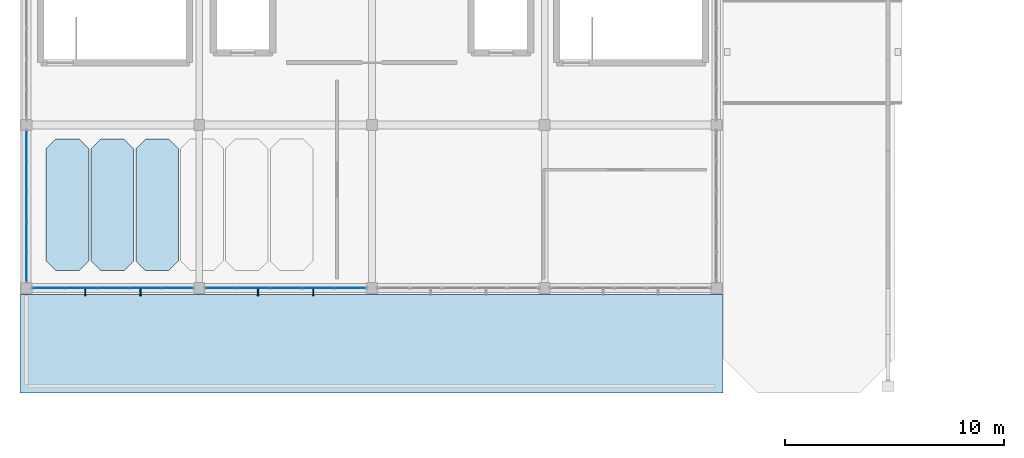
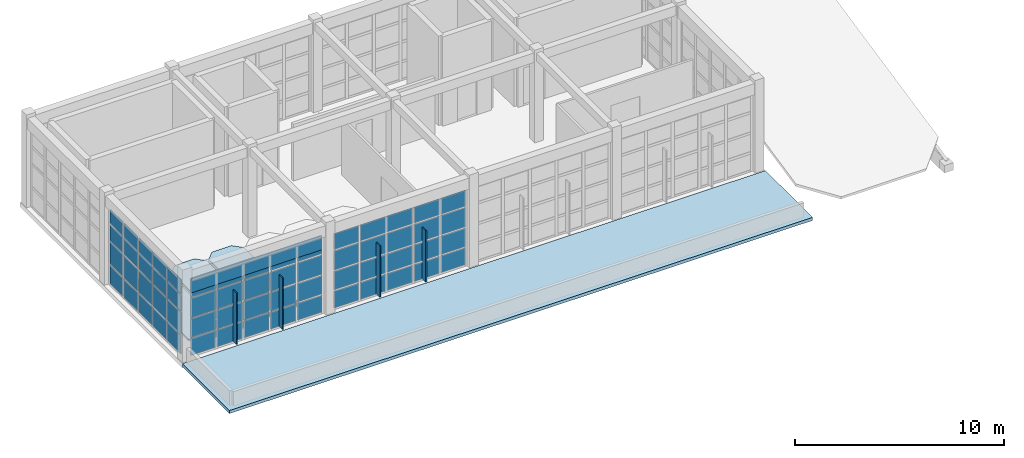
# One storey, part 62 of 103: 65 plates, 4 slabs, 3 elements without a shape of their own.
"""IFC4 building model written with IfcOpenShell, lengths in metres."""

from ifc_helpers import new_model, si_unit, direction, frame, origin, origin_2d, place, context, subcontext, project, spatial, polyline, rectangle, outline, extrude, material, layer, layer_set, type_object, element, aggregate, save


model = new_model("IFC4")

# Units and contexts
model_context = context("Model", 3, precision=1e-05, world=origin(), true_north=direction((0.0, 1.0)))
body_context = subcontext(model_context, "Body", "Model", "MODEL_VIEW")
ifc_project = project(units=[si_unit("LENGTHUNIT", "METRE"), si_unit("AREAUNIT", "SQUARE_METRE"), si_unit("VOLUMEUNIT", "CUBIC_METRE"), si_unit("PLANEANGLEUNIT", "RADIAN"), si_unit("MASSUNIT", "GRAM", prefix="KILO")], contexts=[model_context])

# Site, building, storey
site_placement = place(None, origin())
site = spatial("IfcSite", under=ifc_project, at=site_placement, CompositionType="ELEMENT")
building_placement = place(site_placement, origin())
building = spatial("IfcBuilding", under=site, at=building_placement, Name="Candilejo Ridge Gondola Terminal", CompositionType="ELEMENT")
storey_placement = place(building_placement, frame((0.0, 0.0, 9.0)))
storey = spatial("IfcBuildingStorey", under=building, at=storey_placement, Name="L02", CompositionType="ELEMENT", Elevation=9.0)

# Slabs
ifc_material_1 = material(Name="Concrete f'c 35 MPa (C35/45)", Category="concrete")
ifc_layer_1 = layer(ifc_material_1, 0.169921875)
ifc_layer_set_1 = layer_set([ifc_layer_1], Name="ARC-AUD-TIER-SLAB")
slab_type_1 = type_object("IfcSlabType", Name="ARC-AUD-TIER-SLAB", PredefinedType="USERDEFINED", material=ifc_layer_set_1)
slab_1_placement = place(storey_placement, origin())
element("IfcSlab", 1, at=slab_1_placement, inside=storey, type_object=slab_type_1, Name="Auditorium seating tier 01", ObjectType="AUDITORIUM TIER", PredefinedType="USERDEFINED", context=body_context, shape_type="SweptSolid", body=[
    extrude(outline(polyline([(5.6328125, 11.60009765625), (6.71728515625, 11.60009765625), (7.14990234375, 12.03271484375), (7.14990234375, 17.167236328125), (6.71728515625, 17.60009765625), (5.6328125, 17.60009765625), (5.199951171875, 17.167236328125), (5.199951171875, 12.03271484375), (5.6328125, 11.60009765625)])), origin(), (0.0, 0.0, 1.0), 0.090087890625),
])
slab_2_placement = place(storey_placement, origin())
element("IfcSlab", 2, at=slab_2_placement, inside=storey, type_object=slab_type_1, Name="Auditorium seating tier 02", ObjectType="AUDITORIUM TIER", PredefinedType="USERDEFINED", context=body_context, shape_type="SweptSolid", body=[
    extrude(outline(polyline([(7.6826171875, 11.60009765625), (8.767333984375, 11.60009765625), (9.199951171875, 12.03271484375), (9.199951171875, 17.167236328125), (8.767333984375, 17.60009765625), (7.6826171875, 17.60009765625), (7.25, 17.167236328125), (7.25, 12.03271484375), (7.6826171875, 11.60009765625)])), origin(), (0.0, 0.0, 1.0), 0.139892578125),
])
slab_3_placement = place(storey_placement, origin())
element("IfcSlab", 3, at=slab_3_placement, inside=storey, type_object=slab_type_1, Name="Auditorium seating tier 03", ObjectType="AUDITORIUM TIER", PredefinedType="USERDEFINED", context=body_context, shape_type="SweptSolid", body=[
    extrude(outline(polyline([(9.732666015625, 11.60009765625), (10.8173828125, 11.60009765625), (11.25, 12.03271484375), (11.25, 17.167236328125), (10.8173828125, 17.60009765625), (9.732666015625, 17.60009765625), (9.300048828125, 17.167236328125), (9.300048828125, 12.03271484375), (9.732666015625, 11.60009765625)])), origin(), (0.0, 0.0, 1.0), 0.18994140625),
])

# Curtain wall, plates
ifc_material_2 = material(Name="Anodised aluminium AA 6063-T6", Category="aluminium")
ifc_layer_2 = layer(ifc_material_2, 0.169921875)
ifc_layer_set_2 = layer_set([ifc_layer_2], Name="ARC-CW-GALLERY-3200-740X449")
curtain_wall_type_1 = type_object("IfcCurtainWallType", Name="ARC-CW-GALLERY-3200-740X449", PredefinedType="NOTDEFINED", material=ifc_layer_set_2)
curtain_wall_1_placement = place(storey_placement, origin())
curtain_wall_1 = element("IfcCurtainWall", 4, at=curtain_wall_1_placement, inside=storey, type_object=curtain_wall_type_1, Name="Curtain wall V1 L02-003", PredefinedType="NOTDEFINED")
ifc_material_3 = material(Name="Low-E laminated double glazing 6+12A+6+1.52PVB+6 mm", Category="glass")
ifc_layer_3 = layer(ifc_material_3, 0.028076171875)
ifc_layer_set_3 = layer_set([ifc_layer_3], Name="ARC-CW-GLAZ-PANEL")
plate_type_1 = type_object("IfcPlateType", Name="ARC-CW-GLAZ-PANEL", PredefinedType="CURTAIN_PANEL", material=ifc_layer_set_3)
plate_1_placement = place(storey_placement, frame((5.308837890625, 10.800048828125, 0.0751953125), z_axis=(0.0, 0.0, 1.0), x_axis=(1.0, 0.0, 0.0)))
plate_1 = element("IfcPlate", 5, at=plate_1_placement, type_object=plate_type_1, Name="CW-74X44 panel 1.1", PredefinedType="CURTAIN_PANEL", context=body_context, shape_type="SweptSolid", body=[
    extrude(rectangle(XDim=1.367431640625, YDim=0.028076171875, at=origin_2d()), origin(), (0.0, 0.0, 1.0), 0.987548828125),
])
plate_2_placement = place(storey_placement, frame((5.308837890625, 10.800048828125, 1.1376953125), z_axis=(0.0, 0.0, 1.0), x_axis=(1.0, 0.0, 0.0)))
plate_2 = element("IfcPlate", 6, at=plate_2_placement, type_object=plate_type_1, Name="CW-74X44 panel 1.2", PredefinedType="CURTAIN_PANEL", context=body_context, shape_type="SweptSolid", body=[
    extrude(rectangle(XDim=1.367431640625, YDim=0.028076171875, at=origin_2d()), origin(), (0.0, 0.0, 1.0), 1.074951171875),
])
plate_3_placement = place(storey_placement, frame((5.308837890625, 10.800048828125, 2.28759765625), z_axis=(0.0, 0.0, 1.0), x_axis=(1.0, 0.0, 0.0)))
plate_3 = element("IfcPlate", 7, at=plate_3_placement, type_object=plate_type_1, Name="CW-74X44 panel 1.3", PredefinedType="CURTAIN_PANEL", context=body_context, shape_type="SweptSolid", body=[
    extrude(rectangle(XDim=1.367431640625, YDim=0.028076171875, at=origin_2d()), origin(), (0.0, 0.0, 1.0), 1.125),
])
plate_4_placement = place(storey_placement, frame((5.308837890625, 10.800048828125, 3.4873046875), z_axis=(0.0, 0.0, 1.0), x_axis=(1.0, 0.0, 0.0)))
plate_4 = element("IfcPlate", 8, at=plate_4_placement, type_object=plate_type_1, Name="CW-74X44 panel 1.4", PredefinedType="CURTAIN_PANEL", context=body_context, shape_type="SweptSolid", body=[
    extrude(rectangle(XDim=1.367431640625, YDim=0.028076171875, at=origin_2d()), origin(), (0.0, 0.0, 1.0), 0.927490234375),
])
plate_5_placement = place(storey_placement, frame((6.77001953125, 10.800048828125, 0.0751953125), z_axis=(0.0, 0.0, 1.0), x_axis=(1.0, 0.0, 0.0)))
plate_5 = element("IfcPlate", 9, at=plate_5_placement, type_object=plate_type_1, Name="CW-74X44 panel 2.1", PredefinedType="CURTAIN_PANEL", context=body_context, shape_type="SweptSolid", body=[
    extrude(rectangle(XDim=1.405029296875, YDim=0.028076171875, at=origin_2d()), origin(), (0.0, 0.0, 1.0), 0.987548828125),
])
plate_6_placement = place(storey_placement, frame((6.77001953125, 10.800048828125, 1.1376953125), z_axis=(0.0, 0.0, 1.0), x_axis=(1.0, 0.0, 0.0)))
plate_6 = element("IfcPlate", 10, at=plate_6_placement, type_object=plate_type_1, Name="CW-74X44 panel 2.2", PredefinedType="CURTAIN_PANEL", context=body_context, shape_type="SweptSolid", body=[
    extrude(rectangle(XDim=1.405029296875, YDim=0.028076171875, at=origin_2d()), origin(), (0.0, 0.0, 1.0), 1.074951171875),
])
plate_7_placement = place(storey_placement, frame((6.77001953125, 10.800048828125, 2.28759765625), z_axis=(0.0, 0.0, 1.0), x_axis=(1.0, 0.0, 0.0)))
plate_7 = element("IfcPlate", 11, at=plate_7_placement, type_object=plate_type_1, Name="CW-74X44 panel 2.3", PredefinedType="CURTAIN_PANEL", context=body_context, shape_type="SweptSolid", body=[
    extrude(rectangle(XDim=1.405029296875, YDim=0.028076171875, at=origin_2d()), origin(), (0.0, 0.0, 1.0), 1.125),
])
plate_8_placement = place(storey_placement, frame((6.77001953125, 10.800048828125, 3.4873046875), z_axis=(0.0, 0.0, 1.0), x_axis=(1.0, 0.0, 0.0)))
plate_8 = element("IfcPlate", 12, at=plate_8_placement, type_object=plate_type_1, Name="CW-74X44 panel 2.4", PredefinedType="CURTAIN_PANEL", context=body_context, shape_type="SweptSolid", body=[
    extrude(rectangle(XDim=1.405029296875, YDim=0.028076171875, at=origin_2d()), origin(), (0.0, 0.0, 1.0), 0.927490234375),
])
plate_9_placement = place(storey_placement, frame((8.25, 10.800048828125, 0.0751953125), z_axis=(0.0, 0.0, 1.0), x_axis=(1.0, 0.0, 0.0)))
plate_9 = element("IfcPlate", 13, at=plate_9_placement, type_object=plate_type_1, Name="CW-74X44 panel 3.1", PredefinedType="CURTAIN_PANEL", context=body_context, shape_type="SweptSolid", body=[
    extrude(rectangle(XDim=1.405029296875, YDim=0.028076171875, at=origin_2d()), origin(), (0.0, 0.0, 1.0), 0.987548828125),
])
plate_10_placement = place(storey_placement, frame((8.25, 10.800048828125, 1.1376953125), z_axis=(0.0, 0.0, 1.0), x_axis=(1.0, 0.0, 0.0)))
plate_10 = element("IfcPlate", 14, at=plate_10_placement, type_object=plate_type_1, Name="CW-74X44 panel 3.2", PredefinedType="CURTAIN_PANEL", context=body_context, shape_type="SweptSolid", body=[
    extrude(rectangle(XDim=1.405029296875, YDim=0.028076171875, at=origin_2d()), origin(), (0.0, 0.0, 1.0), 1.074951171875),
])
plate_11_placement = place(storey_placement, frame((8.25, 10.800048828125, 2.28759765625), z_axis=(0.0, 0.0, 1.0), x_axis=(1.0, 0.0, 0.0)))
plate_11 = element("IfcPlate", 15, at=plate_11_placement, type_object=plate_type_1, Name="CW-74X44 panel 3.3", PredefinedType="CURTAIN_PANEL", context=body_context, shape_type="SweptSolid", body=[
    extrude(rectangle(XDim=1.405029296875, YDim=0.028076171875, at=origin_2d()), origin(), (0.0, 0.0, 1.0), 1.125),
])
plate_12_placement = place(storey_placement, frame((8.25, 10.800048828125, 3.4873046875), z_axis=(0.0, 0.0, 1.0), x_axis=(1.0, 0.0, 0.0)))
plate_12 = element("IfcPlate", 16, at=plate_12_placement, type_object=plate_type_1, Name="CW-74X44 panel 3.4", PredefinedType="CURTAIN_PANEL", context=body_context, shape_type="SweptSolid", body=[
    extrude(rectangle(XDim=1.405029296875, YDim=0.028076171875, at=origin_2d()), origin(), (0.0, 0.0, 1.0), 0.927490234375),
])
plate_13_placement = place(storey_placement, frame((9.72998046875, 10.800048828125, 0.0751953125), z_axis=(0.0, 0.0, 1.0), x_axis=(1.0, 0.0, 0.0)))
plate_13 = element("IfcPlate", 17, at=plate_13_placement, type_object=plate_type_1, Name="CW-74X44 panel 4.1", PredefinedType="CURTAIN_PANEL", context=body_context, shape_type="SweptSolid", body=[
    extrude(rectangle(XDim=1.405029296875, YDim=0.028076171875, at=origin_2d()), origin(), (0.0, 0.0, 1.0), 0.987548828125),
])
plate_14_placement = place(storey_placement, frame((9.72998046875, 10.800048828125, 1.1376953125), z_axis=(0.0, 0.0, 1.0), x_axis=(1.0, 0.0, 0.0)))
plate_14 = element("IfcPlate", 18, at=plate_14_placement, type_object=plate_type_1, Name="CW-74X44 panel 4.2", PredefinedType="CURTAIN_PANEL", context=body_context, shape_type="SweptSolid", body=[
    extrude(rectangle(XDim=1.405029296875, YDim=0.028076171875, at=origin_2d()), origin(), (0.0, 0.0, 1.0), 1.074951171875),
])
plate_15_placement = place(storey_placement, frame((9.72998046875, 10.800048828125, 2.28759765625), z_axis=(0.0, 0.0, 1.0), x_axis=(1.0, 0.0, 0.0)))
plate_15 = element("IfcPlate", 19, at=plate_15_placement, type_object=plate_type_1, Name="CW-74X44 panel 4.3", PredefinedType="CURTAIN_PANEL", context=body_context, shape_type="SweptSolid", body=[
    extrude(rectangle(XDim=1.405029296875, YDim=0.028076171875, at=origin_2d()), origin(), (0.0, 0.0, 1.0), 1.125),
])
plate_16_placement = place(storey_placement, frame((9.72998046875, 10.800048828125, 3.4873046875), z_axis=(0.0, 0.0, 1.0), x_axis=(1.0, 0.0, 0.0)))
plate_16 = element("IfcPlate", 20, at=plate_16_placement, type_object=plate_type_1, Name="CW-74X44 panel 4.4", PredefinedType="CURTAIN_PANEL", context=body_context, shape_type="SweptSolid", body=[
    extrude(rectangle(XDim=1.405029296875, YDim=0.028076171875, at=origin_2d()), origin(), (0.0, 0.0, 1.0), 0.927490234375),
])
plate_17_placement = place(storey_placement, frame((11.191162109375, 10.800048828125, 0.0751953125), z_axis=(0.0, 0.0, 1.0), x_axis=(1.0, 0.0, 0.0)))
plate_17 = element("IfcPlate", 21, at=plate_17_placement, type_object=plate_type_1, Name="CW-74X44 panel 5.1", PredefinedType="CURTAIN_PANEL", context=body_context, shape_type="SweptSolid", body=[
    extrude(rectangle(XDim=1.367431640625, YDim=0.028076171875, at=origin_2d()), origin(), (0.0, 0.0, 1.0), 0.987548828125),
])
plate_18_placement = place(storey_placement, frame((11.191162109375, 10.800048828125, 1.1376953125), z_axis=(0.0, 0.0, 1.0), x_axis=(1.0, 0.0, 0.0)))
plate_18 = element("IfcPlate", 22, at=plate_18_placement, type_object=plate_type_1, Name="CW-74X44 panel 5.2", PredefinedType="CURTAIN_PANEL", context=body_context, shape_type="SweptSolid", body=[
    extrude(rectangle(XDim=1.367431640625, YDim=0.028076171875, at=origin_2d()), origin(), (0.0, 0.0, 1.0), 1.074951171875),
])
plate_19_placement = place(storey_placement, frame((11.191162109375, 10.800048828125, 2.28759765625), z_axis=(0.0, 0.0, 1.0), x_axis=(1.0, 0.0, 0.0)))
plate_19 = element("IfcPlate", 23, at=plate_19_placement, type_object=plate_type_1, Name="CW-74X44 panel 5.3", PredefinedType="CURTAIN_PANEL", context=body_context, shape_type="SweptSolid", body=[
    extrude(rectangle(XDim=1.367431640625, YDim=0.028076171875, at=origin_2d()), origin(), (0.0, 0.0, 1.0), 1.125),
])
plate_20_placement = place(storey_placement, frame((11.191162109375, 10.800048828125, 3.4873046875), z_axis=(0.0, 0.0, 1.0), x_axis=(1.0, 0.0, 0.0)))
plate_20 = element("IfcPlate", 24, at=plate_20_placement, type_object=plate_type_1, Name="CW-74X44 panel 5.4", PredefinedType="CURTAIN_PANEL", context=body_context, shape_type="SweptSolid", body=[
    extrude(rectangle(XDim=1.367431640625, YDim=0.028076171875, at=origin_2d()), origin(), (0.0, 0.0, 1.0), 0.927490234375),
])
aggregate(curtain_wall_1, [plate_1, plate_2, plate_3, plate_4, plate_5, plate_6, plate_7, plate_8, plate_9, plate_10, plate_11, plate_12, plate_13, plate_14, plate_15, plate_16, plate_17, plate_18, plate_19, plate_20])

curtain_wall_2_placement = place(storey_placement, origin())
curtain_wall_2 = element("IfcCurtainWall", 25, at=curtain_wall_2_placement, inside=storey, type_object=curtain_wall_type_1, Name="Curtain wall V1 L02-007", PredefinedType="NOTDEFINED")
plate_21_placement = place(storey_placement, frame((13.208740234375, 10.800048828125, 0.0751953125), z_axis=(0.0, 0.0, 1.0), x_axis=(1.0, 0.0, 0.0)))
plate_21 = element("IfcPlate", 26, at=plate_21_placement, type_object=plate_type_1, Name="CW-74X44 panel 1.1", PredefinedType="CURTAIN_PANEL", context=body_context, shape_type="SweptSolid", body=[
    extrude(rectangle(XDim=1.367431640625, YDim=0.028076171875, at=origin_2d()), origin(), (0.0, 0.0, 1.0), 0.987548828125),
])
plate_22_placement = place(storey_placement, frame((13.208740234375, 10.800048828125, 1.1376953125), z_axis=(0.0, 0.0, 1.0), x_axis=(1.0, 0.0, 0.0)))
plate_22 = element("IfcPlate", 27, at=plate_22_placement, type_object=plate_type_1, Name="CW-74X44 panel 1.2", PredefinedType="CURTAIN_PANEL", context=body_context, shape_type="SweptSolid", body=[
    extrude(rectangle(XDim=1.367431640625, YDim=0.028076171875, at=origin_2d()), origin(), (0.0, 0.0, 1.0), 1.074951171875),
])
plate_23_placement = place(storey_placement, frame((13.208740234375, 10.800048828125, 2.28759765625), z_axis=(0.0, 0.0, 1.0), x_axis=(1.0, 0.0, 0.0)))
plate_23 = element("IfcPlate", 28, at=plate_23_placement, type_object=plate_type_1, Name="CW-74X44 panel 1.3", PredefinedType="CURTAIN_PANEL", context=body_context, shape_type="SweptSolid", body=[
    extrude(rectangle(XDim=1.367431640625, YDim=0.028076171875, at=origin_2d()), origin(), (0.0, 0.0, 1.0), 1.125),
])
plate_24_placement = place(storey_placement, frame((13.208740234375, 10.800048828125, 3.4873046875), z_axis=(0.0, 0.0, 1.0), x_axis=(1.0, 0.0, 0.0)))
plate_24 = element("IfcPlate", 29, at=plate_24_placement, type_object=plate_type_1, Name="CW-74X44 panel 1.4", PredefinedType="CURTAIN_PANEL", context=body_context, shape_type="SweptSolid", body=[
    extrude(rectangle(XDim=1.367431640625, YDim=0.028076171875, at=origin_2d()), origin(), (0.0, 0.0, 1.0), 0.927490234375),
])
plate_25_placement = place(storey_placement, frame((14.669921875, 10.800048828125, 0.0751953125), z_axis=(0.0, 0.0, 1.0), x_axis=(1.0, 0.0, 0.0)))
plate_25 = element("IfcPlate", 30, at=plate_25_placement, type_object=plate_type_1, Name="CW-74X44 panel 2.1", PredefinedType="CURTAIN_PANEL", context=body_context, shape_type="SweptSolid", body=[
    extrude(rectangle(XDim=1.405029296875, YDim=0.028076171875, at=origin_2d()), origin(), (0.0, 0.0, 1.0), 0.987548828125),
])
plate_26_placement = place(storey_placement, frame((14.669921875, 10.800048828125, 1.1376953125), z_axis=(0.0, 0.0, 1.0), x_axis=(1.0, 0.0, 0.0)))
plate_26 = element("IfcPlate", 31, at=plate_26_placement, type_object=plate_type_1, Name="CW-74X44 panel 2.2", PredefinedType="CURTAIN_PANEL", context=body_context, shape_type="SweptSolid", body=[
    extrude(rectangle(XDim=1.405029296875, YDim=0.028076171875, at=origin_2d()), origin(), (0.0, 0.0, 1.0), 1.074951171875),
])
plate_27_placement = place(storey_placement, frame((14.669921875, 10.800048828125, 2.28759765625), z_axis=(0.0, 0.0, 1.0), x_axis=(1.0, 0.0, 0.0)))
plate_27 = element("IfcPlate", 32, at=plate_27_placement, type_object=plate_type_1, Name="CW-74X44 panel 2.3", PredefinedType="CURTAIN_PANEL", context=body_context, shape_type="SweptSolid", body=[
    extrude(rectangle(XDim=1.405029296875, YDim=0.028076171875, at=origin_2d()), origin(), (0.0, 0.0, 1.0), 1.125),
])
plate_28_placement = place(storey_placement, frame((14.669921875, 10.800048828125, 3.4873046875), z_axis=(0.0, 0.0, 1.0), x_axis=(1.0, 0.0, 0.0)))
plate_28 = element("IfcPlate", 33, at=plate_28_placement, type_object=plate_type_1, Name="CW-74X44 panel 2.4", PredefinedType="CURTAIN_PANEL", context=body_context, shape_type="SweptSolid", body=[
    extrude(rectangle(XDim=1.405029296875, YDim=0.028076171875, at=origin_2d()), origin(), (0.0, 0.0, 1.0), 0.927490234375),
])
plate_29_placement = place(storey_placement, frame((16.14990234375, 10.800048828125, 0.0751953125), z_axis=(0.0, 0.0, 1.0), x_axis=(1.0, 0.0, 0.0)))
plate_29 = element("IfcPlate", 34, at=plate_29_placement, type_object=plate_type_1, Name="CW-74X44 panel 3.1", PredefinedType="CURTAIN_PANEL", context=body_context, shape_type="SweptSolid", body=[
    extrude(rectangle(XDim=1.405029296875, YDim=0.028076171875, at=origin_2d()), origin(), (0.0, 0.0, 1.0), 0.987548828125),
])
plate_30_placement = place(storey_placement, frame((16.14990234375, 10.800048828125, 1.1376953125), z_axis=(0.0, 0.0, 1.0), x_axis=(1.0, 0.0, 0.0)))
plate_30 = element("IfcPlate", 35, at=plate_30_placement, type_object=plate_type_1, Name="CW-74X44 panel 3.2", PredefinedType="CURTAIN_PANEL", context=body_context, shape_type="SweptSolid", body=[
    extrude(rectangle(XDim=1.405029296875, YDim=0.028076171875, at=origin_2d()), origin(), (0.0, 0.0, 1.0), 1.074951171875),
])
plate_31_placement = place(storey_placement, frame((16.14990234375, 10.800048828125, 2.28759765625), z_axis=(0.0, 0.0, 1.0), x_axis=(1.0, 0.0, 0.0)))
plate_31 = element("IfcPlate", 36, at=plate_31_placement, type_object=plate_type_1, Name="CW-74X44 panel 3.3", PredefinedType="CURTAIN_PANEL", context=body_context, shape_type="SweptSolid", body=[
    extrude(rectangle(XDim=1.405029296875, YDim=0.028076171875, at=origin_2d()), origin(), (0.0, 0.0, 1.0), 1.125),
])
plate_32_placement = place(storey_placement, frame((16.14990234375, 10.800048828125, 3.4873046875), z_axis=(0.0, 0.0, 1.0), x_axis=(1.0, 0.0, 0.0)))
plate_32 = element("IfcPlate", 37, at=plate_32_placement, type_object=plate_type_1, Name="CW-74X44 panel 3.4", PredefinedType="CURTAIN_PANEL", context=body_context, shape_type="SweptSolid", body=[
    extrude(rectangle(XDim=1.405029296875, YDim=0.028076171875, at=origin_2d()), origin(), (0.0, 0.0, 1.0), 0.927490234375),
])
plate_33_placement = place(storey_placement, frame((17.6298828125, 10.800048828125, 0.0751953125), z_axis=(0.0, 0.0, 1.0), x_axis=(1.0, 0.0, 0.0)))
plate_33 = element("IfcPlate", 38, at=plate_33_placement, type_object=plate_type_1, Name="CW-74X44 panel 4.1", PredefinedType="CURTAIN_PANEL", context=body_context, shape_type="SweptSolid", body=[
    extrude(rectangle(XDim=1.405029296875, YDim=0.028076171875, at=origin_2d()), origin(), (0.0, 0.0, 1.0), 0.987548828125),
])
plate_34_placement = place(storey_placement, frame((17.6298828125, 10.800048828125, 1.1376953125), z_axis=(0.0, 0.0, 1.0), x_axis=(1.0, 0.0, 0.0)))
plate_34 = element("IfcPlate", 39, at=plate_34_placement, type_object=plate_type_1, Name="CW-74X44 panel 4.2", PredefinedType="CURTAIN_PANEL", context=body_context, shape_type="SweptSolid", body=[
    extrude(rectangle(XDim=1.405029296875, YDim=0.028076171875, at=origin_2d()), origin(), (0.0, 0.0, 1.0), 1.074951171875),
])
plate_35_placement = place(storey_placement, frame((17.6298828125, 10.800048828125, 2.28759765625), z_axis=(0.0, 0.0, 1.0), x_axis=(1.0, 0.0, 0.0)))
plate_35 = element("IfcPlate", 40, at=plate_35_placement, type_object=plate_type_1, Name="CW-74X44 panel 4.3", PredefinedType="CURTAIN_PANEL", context=body_context, shape_type="SweptSolid", body=[
    extrude(rectangle(XDim=1.405029296875, YDim=0.028076171875, at=origin_2d()), origin(), (0.0, 0.0, 1.0), 1.125),
])
plate_36_placement = place(storey_placement, frame((17.6298828125, 10.800048828125, 3.4873046875), z_axis=(0.0, 0.0, 1.0), x_axis=(1.0, 0.0, 0.0)))
plate_36 = element("IfcPlate", 41, at=plate_36_placement, type_object=plate_type_1, Name="CW-74X44 panel 4.4", PredefinedType="CURTAIN_PANEL", context=body_context, shape_type="SweptSolid", body=[
    extrude(rectangle(XDim=1.405029296875, YDim=0.028076171875, at=origin_2d()), origin(), (0.0, 0.0, 1.0), 0.927490234375),
])
plate_37_placement = place(storey_placement, frame((19.09130859375, 10.800048828125, 0.0751953125), z_axis=(0.0, 0.0, 1.0), x_axis=(1.0, 0.0, 0.0)))
plate_37 = element("IfcPlate", 42, at=plate_37_placement, type_object=plate_type_1, Name="CW-74X44 panel 5.1", PredefinedType="CURTAIN_PANEL", context=body_context, shape_type="SweptSolid", body=[
    extrude(rectangle(XDim=1.367431640625, YDim=0.028076171875, at=origin_2d()), origin(), (0.0, 0.0, 1.0), 0.987548828125),
])
plate_38_placement = place(storey_placement, frame((19.09130859375, 10.800048828125, 1.1376953125), z_axis=(0.0, 0.0, 1.0), x_axis=(1.0, 0.0, 0.0)))
plate_38 = element("IfcPlate", 43, at=plate_38_placement, type_object=plate_type_1, Name="CW-74X44 panel 5.2", PredefinedType="CURTAIN_PANEL", context=body_context, shape_type="SweptSolid", body=[
    extrude(rectangle(XDim=1.367431640625, YDim=0.028076171875, at=origin_2d()), origin(), (0.0, 0.0, 1.0), 1.074951171875),
])
plate_39_placement = place(storey_placement, frame((19.09130859375, 10.800048828125, 2.28759765625), z_axis=(0.0, 0.0, 1.0), x_axis=(1.0, 0.0, 0.0)))
plate_39 = element("IfcPlate", 44, at=plate_39_placement, type_object=plate_type_1, Name="CW-74X44 panel 5.3", PredefinedType="CURTAIN_PANEL", context=body_context, shape_type="SweptSolid", body=[
    extrude(rectangle(XDim=1.367431640625, YDim=0.028076171875, at=origin_2d()), origin(), (0.0, 0.0, 1.0), 1.125),
])
plate_40_placement = place(storey_placement, frame((19.09130859375, 10.800048828125, 3.4873046875), z_axis=(0.0, 0.0, 1.0), x_axis=(1.0, 0.0, 0.0)))
plate_40 = element("IfcPlate", 45, at=plate_40_placement, type_object=plate_type_1, Name="CW-74X44 panel 5.4", PredefinedType="CURTAIN_PANEL", context=body_context, shape_type="SweptSolid", body=[
    extrude(rectangle(XDim=1.367431640625, YDim=0.028076171875, at=origin_2d()), origin(), (0.0, 0.0, 1.0), 0.927490234375),
])
aggregate(curtain_wall_2, [plate_21, plate_22, plate_23, plate_24, plate_25, plate_26, plate_27, plate_28, plate_29, plate_30, plate_31, plate_32, plate_33, plate_34, plate_35, plate_36, plate_37, plate_38, plate_39, plate_40])

ifc_material_4 = material(Name="Anodised aluminium AA 6063-T6", Category="aluminium")
ifc_layer_4 = layer(ifc_material_4, 0.169921875)
ifc_layer_set_4 = layer_set([ifc_layer_4], Name="ARC-CW-CONCOURSE-3600-695X449")
curtain_wall_type_2 = type_object("IfcCurtainWallType", Name="ARC-CW-CONCOURSE-3600-695X449", PredefinedType="NOTDEFINED", material=ifc_layer_set_4)
curtain_wall_3_placement = place(storey_placement, origin())
curtain_wall_3 = element("IfcCurtainWall", 46, at=curtain_wall_3_placement, inside=storey, type_object=curtain_wall_type_2, Name="Curtain wall V1 L02-022", PredefinedType="NOTDEFINED")
plate_41_placement = place(storey_placement, frame((4.300048828125, 11.763671875, 0.074951171875), z_axis=(0.0, 0.0, 1.0), x_axis=(0.0, 1.0, 0.0)))
plate_41 = element("IfcPlate", 47, at=plate_41_placement, type_object=plate_type_1, Name="CW-69X44 panel 1.1", PredefinedType="CURTAIN_PANEL", context=body_context, shape_type="SweptSolid", body=[
    extrude(rectangle(XDim=1.277587890625, YDim=0.028076171875, at=origin_2d()), origin(), (0.0, 0.0, 1.0), 1.08740234375),
])
plate_42_placement = place(storey_placement, frame((4.300048828125, 11.763671875, 1.237548828125), z_axis=(0.0, 0.0, 1.0), x_axis=(0.0, 1.0, 0.0)))
plate_42 = element("IfcPlate", 48, at=plate_42_placement, type_object=plate_type_1, Name="CW-69X44 panel 1.2", PredefinedType="CURTAIN_PANEL", context=body_context, shape_type="SweptSolid", body=[
    extrude(rectangle(XDim=1.277587890625, YDim=0.028076171875, at=origin_2d()), origin(), (0.0, 0.0, 1.0), 1.27490234375),
])
plate_43_placement = place(storey_placement, frame((4.300048828125, 11.763671875, 2.58740234375), z_axis=(0.0, 0.0, 1.0), x_axis=(0.0, 1.0, 0.0)))
plate_43 = element("IfcPlate", 49, at=plate_43_placement, type_object=plate_type_1, Name="CW-69X44 panel 1.3", PredefinedType="CURTAIN_PANEL", context=body_context, shape_type="SweptSolid", body=[
    extrude(rectangle(XDim=1.277587890625, YDim=0.028076171875, at=origin_2d()), origin(), (0.0, 0.0, 1.0), 0.925048828125),
])
plate_44_placement = place(storey_placement, frame((4.300048828125, 11.763671875, 3.58740234375), z_axis=(0.0, 0.0, 1.0), x_axis=(0.0, 1.0, 0.0)))
plate_44 = element("IfcPlate", 50, at=plate_44_placement, type_object=plate_type_1, Name="CW-69X44 panel 1.4", PredefinedType="CURTAIN_PANEL", context=body_context, shape_type="SweptSolid", body=[
    extrude(rectangle(XDim=1.277587890625, YDim=0.028076171875, at=origin_2d()), origin(), (0.0, 0.0, 1.0), 0.827392578125),
])
plate_45_placement = place(storey_placement, frame((4.300048828125, 13.135009765625, 0.074951171875), z_axis=(0.0, 0.0, 1.0), x_axis=(0.0, 1.0, 0.0)))
plate_45 = element("IfcPlate", 51, at=plate_45_placement, type_object=plate_type_1, Name="CW-69X44 panel 2.1", PredefinedType="CURTAIN_PANEL", context=body_context, shape_type="SweptSolid", body=[
    extrude(rectangle(XDim=1.31494140625, YDim=0.028076171875, at=origin_2d()), origin(), (0.0, 0.0, 1.0), 1.08740234375),
])
plate_46_placement = place(storey_placement, frame((4.300048828125, 13.135009765625, 1.237548828125), z_axis=(0.0, 0.0, 1.0), x_axis=(0.0, 1.0, 0.0)))
plate_46 = element("IfcPlate", 52, at=plate_46_placement, type_object=plate_type_1, Name="CW-69X44 panel 2.2", PredefinedType="CURTAIN_PANEL", context=body_context, shape_type="SweptSolid", body=[
    extrude(rectangle(XDim=1.31494140625, YDim=0.028076171875, at=origin_2d()), origin(), (0.0, 0.0, 1.0), 1.27490234375),
])
plate_47_placement = place(storey_placement, frame((4.300048828125, 13.135009765625, 2.58740234375), z_axis=(0.0, 0.0, 1.0), x_axis=(0.0, 1.0, 0.0)))
plate_47 = element("IfcPlate", 53, at=plate_47_placement, type_object=plate_type_1, Name="CW-69X44 panel 2.3", PredefinedType="CURTAIN_PANEL", context=body_context, shape_type="SweptSolid", body=[
    extrude(rectangle(XDim=1.31494140625, YDim=0.028076171875, at=origin_2d()), origin(), (0.0, 0.0, 1.0), 0.925048828125),
])
plate_48_placement = place(storey_placement, frame((4.300048828125, 13.135009765625, 3.58740234375), z_axis=(0.0, 0.0, 1.0), x_axis=(0.0, 1.0, 0.0)))
plate_48 = element("IfcPlate", 54, at=plate_48_placement, type_object=plate_type_1, Name="CW-69X44 panel 2.4", PredefinedType="CURTAIN_PANEL", context=body_context, shape_type="SweptSolid", body=[
    extrude(rectangle(XDim=1.31494140625, YDim=0.028076171875, at=origin_2d()), origin(), (0.0, 0.0, 1.0), 0.827392578125),
])
plate_49_placement = place(storey_placement, frame((4.300048828125, 14.52490234375, 0.074951171875), z_axis=(0.0, 0.0, 1.0), x_axis=(0.0, 1.0, 0.0)))
plate_49 = element("IfcPlate", 55, at=plate_49_placement, type_object=plate_type_1, Name="CW-69X44 panel 3.1", PredefinedType="CURTAIN_PANEL", context=body_context, shape_type="SweptSolid", body=[
    extrude(rectangle(XDim=1.31494140625, YDim=0.028076171875, at=origin_2d()), origin(), (0.0, 0.0, 1.0), 1.08740234375),
])
plate_50_placement = place(storey_placement, frame((4.300048828125, 14.52490234375, 1.237548828125), z_axis=(0.0, 0.0, 1.0), x_axis=(0.0, 1.0, 0.0)))
plate_50 = element("IfcPlate", 56, at=plate_50_placement, type_object=plate_type_1, Name="CW-69X44 panel 3.2", PredefinedType="CURTAIN_PANEL", context=body_context, shape_type="SweptSolid", body=[
    extrude(rectangle(XDim=1.31494140625, YDim=0.028076171875, at=origin_2d()), origin(), (0.0, 0.0, 1.0), 1.27490234375),
])
plate_51_placement = place(storey_placement, frame((4.300048828125, 14.52490234375, 2.58740234375), z_axis=(0.0, 0.0, 1.0), x_axis=(0.0, 1.0, 0.0)))
plate_51 = element("IfcPlate", 57, at=plate_51_placement, type_object=plate_type_1, Name="CW-69X44 panel 3.3", PredefinedType="CURTAIN_PANEL", context=body_context, shape_type="SweptSolid", body=[
    extrude(rectangle(XDim=1.31494140625, YDim=0.028076171875, at=origin_2d()), origin(), (0.0, 0.0, 1.0), 0.925048828125),
])
plate_52_placement = place(storey_placement, frame((4.300048828125, 14.52490234375, 3.58740234375), z_axis=(0.0, 0.0, 1.0), x_axis=(0.0, 1.0, 0.0)))
plate_52 = element("IfcPlate", 58, at=plate_52_placement, type_object=plate_type_1, Name="CW-69X44 panel 3.4", PredefinedType="CURTAIN_PANEL", context=body_context, shape_type="SweptSolid", body=[
    extrude(rectangle(XDim=1.31494140625, YDim=0.028076171875, at=origin_2d()), origin(), (0.0, 0.0, 1.0), 0.827392578125),
])
plate_53_placement = place(storey_placement, frame((4.300048828125, 15.9150390625, 0.074951171875), z_axis=(0.0, 0.0, 1.0), x_axis=(0.0, 1.0, 0.0)))
plate_53 = element("IfcPlate", 59, at=plate_53_placement, type_object=plate_type_1, Name="CW-69X44 panel 4.1", PredefinedType="CURTAIN_PANEL", context=body_context, shape_type="SweptSolid", body=[
    extrude(rectangle(XDim=1.31494140625, YDim=0.028076171875, at=origin_2d()), origin(), (0.0, 0.0, 1.0), 1.08740234375),
])
plate_54_placement = place(storey_placement, frame((4.300048828125, 15.9150390625, 1.237548828125), z_axis=(0.0, 0.0, 1.0), x_axis=(0.0, 1.0, 0.0)))
plate_54 = element("IfcPlate", 60, at=plate_54_placement, type_object=plate_type_1, Name="CW-69X44 panel 4.2", PredefinedType="CURTAIN_PANEL", context=body_context, shape_type="SweptSolid", body=[
    extrude(rectangle(XDim=1.31494140625, YDim=0.028076171875, at=origin_2d()), origin(), (0.0, 0.0, 1.0), 1.27490234375),
])
plate_55_placement = place(storey_placement, frame((4.300048828125, 15.9150390625, 2.58740234375), z_axis=(0.0, 0.0, 1.0), x_axis=(0.0, 1.0, 0.0)))
plate_55 = element("IfcPlate", 61, at=plate_55_placement, type_object=plate_type_1, Name="CW-69X44 panel 4.3", PredefinedType="CURTAIN_PANEL", context=body_context, shape_type="SweptSolid", body=[
    extrude(rectangle(XDim=1.31494140625, YDim=0.028076171875, at=origin_2d()), origin(), (0.0, 0.0, 1.0), 0.925048828125),
])
plate_56_placement = place(storey_placement, frame((4.300048828125, 15.9150390625, 3.58740234375), z_axis=(0.0, 0.0, 1.0), x_axis=(0.0, 1.0, 0.0)))
plate_56 = element("IfcPlate", 62, at=plate_56_placement, type_object=plate_type_1, Name="CW-69X44 panel 4.4", PredefinedType="CURTAIN_PANEL", context=body_context, shape_type="SweptSolid", body=[
    extrude(rectangle(XDim=1.31494140625, YDim=0.028076171875, at=origin_2d()), origin(), (0.0, 0.0, 1.0), 0.827392578125),
])
plate_57_placement = place(storey_placement, frame((4.300048828125, 17.2861328125, 0.074951171875), z_axis=(0.0, 0.0, 1.0), x_axis=(0.0, 1.0, 0.0)))
plate_57 = element("IfcPlate", 63, at=plate_57_placement, type_object=plate_type_1, Name="CW-69X44 panel 5.1", PredefinedType="CURTAIN_PANEL", context=body_context, shape_type="SweptSolid", body=[
    extrude(rectangle(XDim=1.277587890625, YDim=0.028076171875, at=origin_2d()), origin(), (0.0, 0.0, 1.0), 1.08740234375),
])
plate_58_placement = place(storey_placement, frame((4.300048828125, 17.2861328125, 1.237548828125), z_axis=(0.0, 0.0, 1.0), x_axis=(0.0, 1.0, 0.0)))
plate_58 = element("IfcPlate", 64, at=plate_58_placement, type_object=plate_type_1, Name="CW-69X44 panel 5.2", PredefinedType="CURTAIN_PANEL", context=body_context, shape_type="SweptSolid", body=[
    extrude(rectangle(XDim=1.277587890625, YDim=0.028076171875, at=origin_2d()), origin(), (0.0, 0.0, 1.0), 1.27490234375),
])
plate_59_placement = place(storey_placement, frame((4.300048828125, 17.2861328125, 2.58740234375), z_axis=(0.0, 0.0, 1.0), x_axis=(0.0, 1.0, 0.0)))
plate_59 = element("IfcPlate", 65, at=plate_59_placement, type_object=plate_type_1, Name="CW-69X44 panel 5.3", PredefinedType="CURTAIN_PANEL", context=body_context, shape_type="SweptSolid", body=[
    extrude(rectangle(XDim=1.277587890625, YDim=0.028076171875, at=origin_2d()), origin(), (0.0, 0.0, 1.0), 0.925048828125),
])
plate_60_placement = place(storey_placement, frame((4.300048828125, 17.2861328125, 3.58740234375), z_axis=(0.0, 0.0, 1.0), x_axis=(0.0, 1.0, 0.0)))
plate_60 = element("IfcPlate", 66, at=plate_60_placement, type_object=plate_type_1, Name="CW-69X44 panel 5.4", PredefinedType="CURTAIN_PANEL", context=body_context, shape_type="SweptSolid", body=[
    extrude(rectangle(XDim=1.277587890625, YDim=0.028076171875, at=origin_2d()), origin(), (0.0, 0.0, 1.0), 0.827392578125),
])
aggregate(curtain_wall_3, [plate_41, plate_42, plate_43, plate_44, plate_45, plate_46, plate_47, plate_48, plate_49, plate_50, plate_51, plate_52, plate_53, plate_54, plate_55, plate_56, plate_57, plate_58, plate_59, plate_60])

# Plates
ifc_material_5 = material(Name="Extruded architectural terracotta fin", Category="masonry")
plate_type_2 = type_object("IfcPlateType", Name="ARC-SOLAR-FIN-340", PredefinedType="USERDEFINED", material=ifc_material_5)
for number, where, z_axis, x_axis, name in (
    (67, (6.986083984375, 10.615966796875, 0.10009765625), (0.0, 0.0, 1.0), (1.0, 0.0, 0.0), "Terracotta solar fin V1-01"),
    (68, (9.513916015625, 10.615966796875, 0.10009765625), (0.0, 0.0, 1.0), (1.0, 0.0, 0.0), "Terracotta solar fin V1-02"),
    (69, (14.885986328125, 10.615966796875, 0.10009765625), (0.0, 0.0, 1.0), (1.0, 0.0, 0.0), "Terracotta solar fin V1-03"),
    (70, (17.4140625, 10.615966796875, 0.10009765625), (0.0, 0.0, 1.0), (1.0, 0.0, 0.0), "Terracotta solar fin V1-04"),
):
    element("IfcPlate", number, at=place(storey_placement, frame(where, z_axis=z_axis, x_axis=x_axis)), inside=storey, type_object=plate_type_2, Name=name, ObjectType="SOLAR FIN", PredefinedType="USERDEFINED", context=body_context, shape_type="SweptSolid", body=[
        extrude(rectangle(XDim=0.06494140625, YDim=0.340087890625, at=origin_2d()), origin(), (0.0, 0.0, 1.0), 3.0),
    ])
ifc_material_6 = material(Name="Insulated aluminium spandrel panel 60 mm", Category="aluminium")
ifc_layer_5 = layer(ifc_material_6, 0.06005859375)
ifc_layer_set_5 = layer_set([ifc_layer_5], Name="ARC-SPANDREL-V1-L02")
plate_type_3 = type_object("IfcPlateType", Name="ARC-SPANDREL-V1-L02", PredefinedType="SHEET", material=ifc_layer_set_5)
plate_61_placement = place(storey_placement, frame((8.25, 10.800048828125, 3.72998046875), z_axis=(0.0, 0.0, 1.0), x_axis=(1.0, 0.0, 0.0)))
element("IfcPlate", 71, at=plate_61_placement, inside=storey, type_object=plate_type_3, Name="Spandrel band SP-12", PredefinedType="SHEET", context=body_context, shape_type="SweptSolid", body=[
    extrude(rectangle(XDim=7.199951171875, YDim=0.06005859375, at=origin_2d()), origin(), (0.0, 0.0, 1.0), 0.820068359375),
])

# Slab
ifc_material_7 = material(Name="Concrete f'c 35 MPa (C35/45)", Category="concrete")
ifc_layer_6 = layer(ifc_material_7, 0.179931640625)
ifc_layer_set_6 = layer_set([ifc_layer_6], Name="STR-ROOF-SLAB-180")
slab_type_2 = type_object("IfcSlabType", Name="STR-ROOF-SLAB-180", PredefinedType="ROOF", material=ifc_layer_set_6)
slab_4_placement = place(storey_placement, frame((0.0, 0.0, -0.179931640625)))
element("IfcSlab", 72, at=slab_4_placement, inside=storey, type_object=slab_type_2, Name="Slab SLB-V1-L02-SETBACK", PredefinedType="ROOF", context=body_context, shape_type="SweptSolid", body=[
    extrude(outline(polyline([(4.0, 6.0), (36.14990234375, 6.0), (36.14990234375, 10.5), (4.0, 10.5), (4.0, 6.0)])), origin(), (0.0, 0.0, 1.0), 0.179931640625),
])

save(model, "model.ifc")
